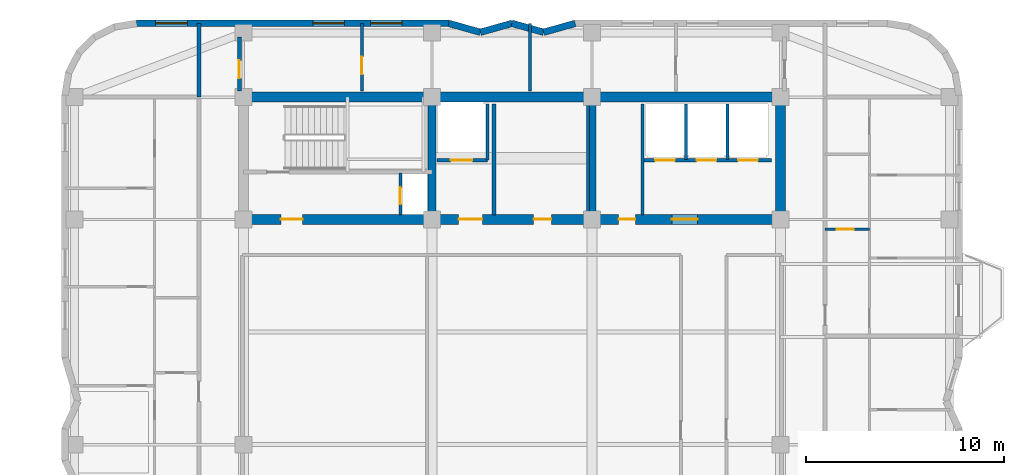
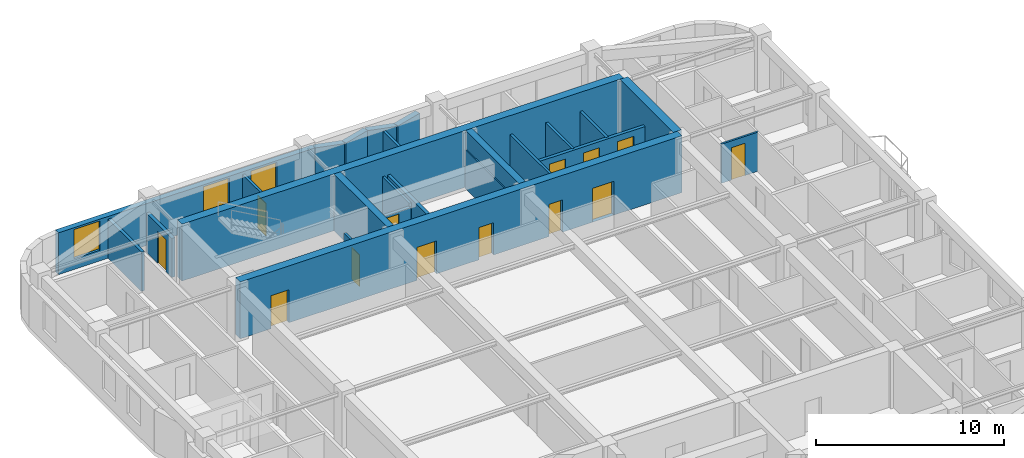
# One storey, part 6 of 9: 24 walls, 13 doors, 3 windows, 16 openings.
"""IFC4 building model written with IfcOpenShell, lengths in metres."""

from ifc_helpers import new_model, si_unit, direction, frame, frame_2d, origin, place, context, subcontext, project, spatial, rectangle, extrude, material, layer, layer_set, type_object, element, fill, save


model = new_model("IFC4")

# Units and contexts
model_context = context("Model", 3, precision=1e-05, world=origin(), true_north=direction((0.0, 1.0)))
body_context = subcontext(model_context, "Body", "Model", "MODEL_VIEW")
ifc_project = project(units=[si_unit("LENGTHUNIT", "METRE"), si_unit("AREAUNIT", "SQUARE_METRE"), si_unit("VOLUMEUNIT", "CUBIC_METRE"), si_unit("PLANEANGLEUNIT", "RADIAN"), si_unit("MASSUNIT", "GRAM", prefix="KILO")], contexts=[model_context])

# Site, building, storey
site_placement = place(None, origin())
site = spatial("IfcSite", under=ifc_project, at=site_placement, CompositionType="ELEMENT")
building_placement = place(site_placement, origin())
building = spatial("IfcBuilding", under=site, at=building_placement, Name="Svetorya Sky Lyceum", CompositionType="ELEMENT")
storey_placement = place(building_placement, frame((0.0, 0.0, 214.699951171875)))
storey = spatial("IfcBuildingStorey", under=building, at=storey_placement, Name="L53", CompositionType="ELEMENT", Elevation=214.699951171875)

# Walls
ifc_material_1 = material(Name="Concrete C40/50", Category="concrete")
ifc_layer_1 = layer(ifc_material_1, 0.39990234375)
ifc_layer_set_1 = layer_set([ifc_layer_1], Name="Concrete C40/50")
wall_type_1 = type_object("IfcWallType", Name="WL-CORE-400", PredefinedType="SHEAR", material=ifc_layer_set_1)
for number, where, z_axis, x_axis, name in (
    (1, (35.14990234375, 39.85009765625, 0.0), (0.0, 0.0, 1.0), (0.0, 1.0, 0.0), "L53 NC Internal Shear Web WEB1"),
    (2, (43.25, 39.85009765625, 0.0), (0.0, 0.0, 1.0), (0.0, 1.0, 0.0), "L53 NC Internal Shear Web WEB2"),
):
    element("IfcWall", number, at=place(storey_placement, frame(where, z_axis=z_axis, x_axis=x_axis)), inside=storey, type_object=wall_type_1, Name=name, PredefinedType="SHEAR", context=body_context, shape_type="SweptSolid", body=[
        extrude(rectangle(XDim=5.699951171875, YDim=0.39990234375, at=frame_2d((2.85009765625, 0.0))), origin(), (0.0, 0.0, 1.0), 3.699951171875),
    ])
ifc_material_2 = material(Name="Concrete C50/60", Category="concrete")
ifc_layer_2 = layer(ifc_material_2, 0.5)
ifc_layer_set_2 = layer_set([ifc_layer_2], Name="Concrete C50/60")
wall_type_2 = type_object("IfcWallType", Name="WL-CORE-500", PredefinedType="SHEAR", material=ifc_layer_set_2)
wall_1_placement = place(storey_placement, frame((25.60009765625, 45.800048828125, 0.0), z_axis=(0.0, 0.0, 1.0), x_axis=(1.0, 0.0, 0.0)))
element("IfcWall", 3, at=wall_1_placement, inside=storey, type_object=wall_type_2, Name="L53 NC Outer Core Shear Wall", PredefinedType="SHEAR", context=body_context, shape_type="SweptSolid", body=[
    extrude(rectangle(XDim=27.199951171875, YDim=0.5, at=frame_2d((13.60009765625, 0.0))), origin(), (0.0, 0.0, 1.0), 3.699951171875),
])
wall_2_placement = place(storey_placement, frame((52.800048828125, 39.85009765625, 0.0), z_axis=(0.0, 0.0, 1.0), x_axis=(0.0, 1.0, 0.0)))
element("IfcWall", 4, at=wall_2_placement, inside=storey, type_object=wall_type_2, Name="L53 NC East Core Shear Wall", PredefinedType="SHEAR", context=body_context, shape_type="SweptSolid", body=[
    extrude(rectangle(XDim=5.699951171875, YDim=0.5, at=frame_2d((2.85009765625, 0.0))), origin(), (0.0, 0.0, 1.0), 3.699951171875),
])

# Wall, openings, doors
wall_3_placement = place(storey_placement, frame((52.800048828125, 39.60009765625, 0.0), z_axis=(0.0, 0.0, 1.0), x_axis=(-1.0, 0.0, 0.0)))
wall_3 = element("IfcWall", 5, at=wall_3_placement, inside=storey, type_object=wall_type_2, Name="L53 NC Inner Core Shear Wall", PredefinedType="SHEAR", context=body_context, shape_type="SweptSolid", body=[
    extrude(rectangle(XDim=27.199951171875, YDim=0.5, at=frame_2d((13.60009765625, 0.0))), origin(), (0.0, 0.0, 1.0), 3.699951171875),
])
opening_1_placement = place(wall_3_placement, frame((24.199951171875, 0.0, 0.0)))
opening_1 = element("IfcOpeningElement", 6, at=opening_1_placement, cuts=wall_3, Name="Opening D-ST1", PredefinedType="OPENING", context=body_context, shape_type="SweptSolid", body=[
    extrude(rectangle(XDim=1.10009765625, YDim=2.14990234375, at=frame_2d((0.550048828125, 1.074951171875))), frame((0.0, 0.260009765625, 0.0), z_axis=(0.0, -1.0, 0.0), x_axis=(1.0, 0.0, 0.0)), (0.0, 0.0, 1.0), 0.52001953125),
])
opening_2_placement = place(wall_3_placement, frame((15.10009765625, 0.0, 0.0)))
opening_2 = element("IfcOpeningElement", 7, at=opening_2_placement, cuts=wall_3, Name="Opening D-FL1", PredefinedType="OPENING", context=body_context, shape_type="SweptSolid", body=[
    extrude(rectangle(XDim=1.199951171875, YDim=2.14990234375, at=frame_2d((0.60009765625, 1.074951171875))), frame((0.0, 0.260009765625, 0.0), z_axis=(0.0, -1.0, 0.0), x_axis=(1.0, 0.0, 0.0)), (0.0, 0.0, 1.0), 0.52001953125),
])
opening_3_placement = place(wall_3_placement, frame((11.60009765625, 0.0, 0.0)))
opening_3 = element("IfcOpeningElement", 8, at=opening_3_placement, cuts=wall_3, Name="Opening D-RM1", PredefinedType="OPENING", context=body_context, shape_type="SweptSolid", body=[
    extrude(rectangle(XDim=0.89990234375, YDim=2.10009765625, at=frame_2d((0.449951171875, 1.050048828125))), frame((0.0, 0.260009765625, 0.0), z_axis=(0.0, -1.0, 0.0), x_axis=(1.0, 0.0, 0.0)), (0.0, 0.0, 1.0), 0.52001953125),
])
opening_4_placement = place(wall_3_placement, frame((7.35009765625, 0.0, 0.0)))
opening_4 = element("IfcOpeningElement", 9, at=opening_4_placement, cuts=wall_3, Name="Opening D-CWC1", PredefinedType="OPENING", context=body_context, shape_type="SweptSolid", body=[
    extrude(rectangle(XDim=0.85009765625, YDim=2.10009765625, at=frame_2d((0.425048828125, 1.050048828125))), frame((0.0, 0.260009765625, 0.0), z_axis=(0.0, -1.0, 0.0), x_axis=(1.0, 0.0, 0.0)), (0.0, 0.0, 1.0), 0.52001953125),
])
opening_5_placement = place(wall_3_placement, frame((4.199951171875, 0.0, 0.0)))
opening_5 = element("IfcOpeningElement", 10, at=opening_5_placement, cuts=wall_3, Name="Opening D-LB1", PredefinedType="OPENING", context=body_context, shape_type="SweptSolid", body=[
    extrude(rectangle(XDim=1.300048828125, YDim=2.199951171875, at=frame_2d((0.64990234375, 1.10009765625))), frame((0.0, 0.260009765625, 0.0), z_axis=(0.0, -1.0, 0.0), x_axis=(1.0, 0.0, 0.0)), (0.0, 0.0, 1.0), 0.52001953125),
])
ifc_material_3 = material(Name="Fire-rated galvanized steel core service closet door", Category="steel")
door_type_1 = type_object("IfcDoorType", Name="DR-CWET-850", OperationType="SINGLE_SWING_LEFT", PredefinedType="DOOR", material=ifc_material_3)
door_1_placement = place(opening_4_placement, origin())
door_1 = element("IfcDoor", 11, at=door_1_placement, inside=storey, type_object=door_type_1, Name="L53 High-Zone Utility Room Door", OperationType="SINGLE_SWING_LEFT", OverallHeight=2.10009765625, OverallWidth=0.85009765625, PredefinedType="DOOR", context=body_context, shape_type="SweptSolid", body=[
    extrude(rectangle(XDim=0.85009765625, YDim=2.10009765625, at=frame_2d((0.425048828125, 1.050048828125))), frame((0.0, 0.02490234375, 0.0), z_axis=(0.0, -1.0, 0.0), x_axis=(1.0, 0.0, 0.0)), (0.0, 0.0, 1.0), 0.050048828125),
])
fill(opening_4, door_1)
ifc_material_4 = material(Name="Powder-coated insulated galvanized stair fire door")
door_type_2 = type_object("IfcDoorType", Name="DR-FIRE-1100", OperationType="SINGLE_SWING_LEFT", PredefinedType="DOOR", material=ifc_material_4)
door_2_placement = place(opening_1_placement, origin())
door_2 = element("IfcDoor", 12, at=door_2_placement, inside=storey, type_object=door_type_2, Name="L53 North Stair Airlock Door", OperationType="SINGLE_SWING_LEFT", OverallHeight=2.14990234375, OverallWidth=1.10009765625, PredefinedType="DOOR", context=body_context, shape_type="SweptSolid", body=[
    extrude(rectangle(XDim=1.10009765625, YDim=2.14990234375, at=frame_2d((0.550048828125, 1.074951171875))), frame((0.0, 0.02490234375, 0.0), z_axis=(0.0, -1.0, 0.0), x_axis=(1.0, 0.0, 0.0)), (0.0, 0.0, 1.0), 0.050048828125),
])
fill(opening_1, door_2)
ifc_material_5 = material(Name="Powder-coated insulated galvanized fire door")
door_type_3 = type_object("IfcDoorType", Name="DR-FIRE-1200", OperationType="SINGLE_SWING_LEFT", PredefinedType="DOOR", material=ifc_material_5)
door_3_placement = place(opening_2_placement, origin())
door_3 = element("IfcDoor", 13, at=door_3_placement, inside=storey, type_object=door_type_3, Name="L53 North Firefighting Lift Lobby Door", OperationType="SINGLE_SWING_RIGHT", OverallHeight=2.14990234375, OverallWidth=1.199951171875, PredefinedType="DOOR", context=body_context, shape_type="SweptSolid", body=[
    extrude(rectangle(XDim=1.199951171875, YDim=2.14990234375, at=frame_2d((0.60009765625, 1.074951171875))), frame((0.0, 0.02490234375, 0.0), z_axis=(0.0, -1.0, 0.0), x_axis=(1.0, 0.0, 0.0)), (0.0, 0.0, 1.0), 0.050048828125),
])
fill(opening_2, door_3)
ifc_material_6 = material(Name="Lacquered birch veneer internal door")
door_type_4 = type_object("IfcDoorType", Name="DR-INT-900", OperationType="SINGLE_SWING_LEFT", PredefinedType="DOOR", material=ifc_material_6)
door_4_placement = place(opening_3_placement, origin())
door_4 = element("IfcDoor", 14, at=door_4_placement, inside=storey, type_object=door_type_4, Name="L53 Upper Archive Door", OperationType="SINGLE_SWING_LEFT", OverallHeight=2.10009765625, OverallWidth=0.89990234375, PredefinedType="DOOR", context=body_context, shape_type="SweptSolid", body=[
    extrude(rectangle(XDim=0.89990234375, YDim=2.10009765625, at=frame_2d((0.449951171875, 1.050048828125))), frame((0.0, 0.02490234375, 0.0), z_axis=(0.0, -1.0, 0.0), x_axis=(1.0, 0.0, 0.0)), (0.0, 0.0, 1.0), 0.050048828125),
])
fill(opening_3, door_4)
ifc_material_7 = material(Name="Glazed fire-rated aluminium lobby door", Category="aluminium")
door_type_5 = type_object("IfcDoorType", Name="DR-LOB-1300", OperationType="SINGLE_SWING_LEFT", PredefinedType="DOOR", material=ifc_material_7)
door_5_placement = place(opening_5_placement, origin())
door_5 = element("IfcDoor", 15, at=door_5_placement, inside=storey, type_object=door_type_5, Name="L53 North Passenger Lift Lobby Door", OperationType="SINGLE_SWING_LEFT", OverallHeight=2.199951171875, OverallWidth=1.300048828125, PredefinedType="DOOR", context=body_context, shape_type="SweptSolid", body=[
    extrude(rectangle(XDim=1.300048828125, YDim=2.199951171875, at=frame_2d((0.64990234375, 1.10009765625))), frame((0.0, 0.02490234375, 0.0), z_axis=(0.0, -1.0, 0.0), x_axis=(1.0, 0.0, 0.0)), (0.0, 0.0, 1.0), 0.050048828125),
])
fill(opening_5, door_5)

# Walls
ifc_material_8 = material(Name="Putilovo limestone rainscreen on autoclaved cellular masonry", Category="masonry")
ifc_layer_3 = layer(ifc_material_8, 0.340087890625)
ifc_layer_set_3 = layer_set([ifc_layer_3], Name="Putilovo limestone rainscreen on autoclaved cellular masonry")
wall_type_3 = type_object("IfcWallType", Name="WL-EXT-340", PredefinedType="SOLIDWALL", material=ifc_layer_set_3)
wall_4_placement = place(storey_placement, frame((42.39990234375, 49.530029296875, 0.0), z_axis=(0.0, 0.0, 1.0), x_axis=(-0.962652136636, -0.270741322725, 0.0)))
element("IfcWall", 16, at=wall_4_placement, inside=storey, type_object=wall_type_3, Name="L53 Limestone Exterior Wall 30M", PredefinedType="SOLIDWALL", context=body_context, shape_type="SweptSolid", body=[
    extrude(rectangle(XDim=1.661865234375, YDim=0.340087890625, at=frame_2d((0.8310546875, 0.0))), origin(), (0.0, 0.0, 1.0), 2.719970703125),
])
wall_5_placement = place(storey_placement, frame((40.800048828125, 49.080078125, 0.0), z_axis=(0.0, 0.0, 1.0), x_axis=(-0.962662902433, 0.270703040766, 0.0)))
element("IfcWall", 17, at=wall_5_placement, inside=storey, type_object=wall_type_3, Name="L53 Limestone Exterior Wall 31M", PredefinedType="SOLIDWALL", context=body_context, shape_type="SweptSolid", body=[
    extrude(rectangle(XDim=1.662109375, YDim=0.340087890625, at=frame_2d((0.8310546875, 0.0))), origin(), (0.0, 0.0, 1.0), 2.719970703125),
])
wall_6_placement = place(storey_placement, frame((39.199951171875, 49.530029296875, 0.0), z_axis=(0.0, 0.0, 1.0), x_axis=(-0.962652136636, -0.270741322725, 0.0)))
element("IfcWall", 18, at=wall_6_placement, inside=storey, type_object=wall_type_3, Name="L53 Limestone Exterior Wall 32M", PredefinedType="SOLIDWALL", context=body_context, shape_type="SweptSolid", body=[
    extrude(rectangle(XDim=1.661865234375, YDim=0.340087890625, at=frame_2d((0.8310546875, 0.0))), origin(), (0.0, 0.0, 1.0), 2.719970703125),
])
wall_7_placement = place(storey_placement, frame((37.60009765625, 49.080078125, 0.0), z_axis=(0.0, 0.0, 1.0), x_axis=(-0.962662902433, 0.270703040766, 0.0)))
element("IfcWall", 19, at=wall_7_placement, inside=storey, type_object=wall_type_3, Name="L53 Limestone Exterior Wall 33M", PredefinedType="SOLIDWALL", context=body_context, shape_type="SweptSolid", body=[
    extrude(rectangle(XDim=1.662109375, YDim=0.340087890625, at=frame_2d((0.8310546875, 0.0))), origin(), (0.0, 0.0, 1.0), 2.719970703125),
])

# Wall, openings, windows
wall_8_placement = place(storey_placement, frame((36.0, 49.530029296875, 0.0), z_axis=(0.0, 0.0, 1.0), x_axis=(-1.0, 0.0, 0.0)))
wall_8 = element("IfcWall", 20, at=wall_8_placement, inside=storey, type_object=wall_type_3, Name="L53 Limestone Exterior Wall 34M", PredefinedType="SOLIDWALL", context=body_context, shape_type="SweptSolid", body=[
    extrude(rectangle(XDim=15.800048828125, YDim=0.340087890625, at=frame_2d((7.89990234375, 0.0))), origin(), (0.0, 0.0, 1.0), 2.719970703125),
])
opening_6_placement = place(wall_8_placement, frame((2.362548828125, 0.0, 0.699951171875)))
opening_6 = element("IfcOpeningElement", 21, at=opening_6_placement, cuts=wall_8, Name="Opening W-R4", PredefinedType="OPENING", context=body_context, shape_type="SweptSolid", body=[
    extrude(rectangle(XDim=1.60009765625, YDim=1.89990234375, at=frame_2d((0.800048828125, 0.949951171875))), frame((0.0, 0.179931640625, 0.0), z_axis=(0.0, -1.0, 0.0), x_axis=(1.0, 0.0, 0.0)), (0.0, 0.0, 1.0), 0.360107421875),
])
opening_7_placement = place(wall_8_placement, frame((5.28759765625, 0.0, 0.699951171875)))
opening_7 = element("IfcOpeningElement", 22, at=opening_7_placement, cuts=wall_8, Name="Opening W-R4", PredefinedType="OPENING", context=body_context, shape_type="SweptSolid", body=[
    extrude(rectangle(XDim=1.60009765625, YDim=1.89990234375, at=frame_2d((0.800048828125, 0.949951171875))), frame((0.0, 0.179931640625, 0.0), z_axis=(0.0, -1.0, 0.0), x_axis=(1.0, 0.0, 0.0)), (0.0, 0.0, 1.0), 0.360107421875),
])
opening_8_placement = place(wall_8_placement, frame((13.237548828125, 0.0, 0.699951171875)))
opening_8 = element("IfcOpeningElement", 23, at=opening_8_placement, cuts=wall_8, Name="Opening W-R4", PredefinedType="OPENING", context=body_context, shape_type="SweptSolid", body=[
    extrude(rectangle(XDim=1.60009765625, YDim=1.89990234375, at=frame_2d((0.800048828125, 0.949951171875))), frame((0.0, 0.179931640625, 0.0), z_axis=(0.0, -1.0, 0.0), x_axis=(1.0, 0.0, 0.0)), (0.0, 0.0, 1.0), 0.360107421875),
])
ifc_material_9 = material(Name="Thermally broken aluminium frame with triple low-E glazing", Category="aluminium")
window_type = type_object("IfcWindowType", Name="WN-RES-160", PartitioningType="DOUBLE_PANEL_VERTICAL", PredefinedType="WINDOW", material=ifc_material_9)
window_1_placement = place(opening_6_placement, origin())
window_1 = element("IfcWindow", 24, at=window_1_placement, inside=storey, type_object=window_type, Name="L53 Facade Window W-R4.34M.1", OverallHeight=1.89990234375, OverallWidth=1.60009765625, PartitioningType="SINGLE_PANEL", PredefinedType="WINDOW", context=body_context, shape_type="SweptSolid", body=[
    extrude(rectangle(XDim=1.60009765625, YDim=1.89990234375, at=frame_2d((0.800048828125, 0.949951171875))), frame((0.0, 0.030029296875, 0.0), z_axis=(0.0, -1.0, 0.0), x_axis=(1.0, 0.0, 0.0)), (0.0, 0.0, 1.0), 0.06005859375),
])
fill(opening_6, window_1)
window_2_placement = place(opening_7_placement, origin())
window_2 = element("IfcWindow", 25, at=window_2_placement, inside=storey, type_object=window_type, Name="L53 Facade Window W-R4.34M.2", OverallHeight=1.89990234375, OverallWidth=1.60009765625, PartitioningType="SINGLE_PANEL", PredefinedType="WINDOW", context=body_context, shape_type="SweptSolid", body=[
    extrude(rectangle(XDim=1.60009765625, YDim=1.89990234375, at=frame_2d((0.800048828125, 0.949951171875))), frame((0.0, 0.030029296875, 0.0), z_axis=(0.0, -1.0, 0.0), x_axis=(1.0, 0.0, 0.0)), (0.0, 0.0, 1.0), 0.06005859375),
])
fill(opening_7, window_2)
window_3_placement = place(opening_8_placement, origin())
window_3 = element("IfcWindow", 26, at=window_3_placement, inside=storey, type_object=window_type, Name="L53 Facade Window W-R4.34M.3", OverallHeight=1.89990234375, OverallWidth=1.60009765625, PartitioningType="SINGLE_PANEL", PredefinedType="WINDOW", context=body_context, shape_type="SweptSolid", body=[
    extrude(rectangle(XDim=1.60009765625, YDim=1.89990234375, at=frame_2d((0.800048828125, 0.949951171875))), frame((0.0, 0.030029296875, 0.0), z_axis=(0.0, -1.0, 0.0), x_axis=(1.0, 0.0, 0.0)), (0.0, 0.0, 1.0), 0.06005859375),
])
fill(opening_8, window_3)

# Wall, opening, door
ifc_material_10 = material(Name="Twin-stud galvanized framing with double fireboard", Category="gypsum")
ifc_layer_4 = layer(ifc_material_10, 0.1201171875)
ifc_layer_set_4 = layer_set([ifc_layer_4], Name="Twin-stud galvanized framing with double fireboard")
wall_type_4 = type_object("IfcWallType", Name="WL-PART-120", PredefinedType="PARTITIONING", material=ifc_layer_set_4)
wall_9_placement = place(storey_placement, frame((55.050048828125, 39.10009765625, 0.0), z_axis=(0.0, 0.0, 1.0), x_axis=(1.0, 0.0, 0.0)))
wall_9 = element("IfcWall", 27, at=wall_9_placement, inside=storey, type_object=wall_type_4, Name="L53 Interior Partition E3-WH1", PredefinedType="PARTITIONING", context=body_context, shape_type="SweptSolid", body=[
    extrude(rectangle(XDim=2.25, YDim=0.1201171875, at=frame_2d((1.125, 0.0))), origin(), (0.0, 0.0, 1.0), 2.550048828125),
])
opening_9_placement = place(wall_9_placement, frame((0.60009765625, 0.0, 0.0)))
opening_9 = element("IfcOpeningElement", 28, at=opening_9_placement, cuts=wall_9, Name="Opening D-BT1", PredefinedType="OPENING", context=body_context, shape_type="SweptSolid", body=[
    extrude(rectangle(XDim=0.85009765625, YDim=2.10009765625, at=frame_2d((0.425048828125, 1.050048828125))), frame((0.0, 0.070068359375, 0.0), z_axis=(0.0, -1.0, 0.0), x_axis=(1.0, 0.0, 0.0)), (0.0, 0.0, 1.0), 0.14013671875),
])
ifc_material_11 = material(Name="Moisture-resistant laminate bathroom door")
door_type_6 = type_object("IfcDoorType", Name="DR-WET-850", OperationType="SINGLE_SWING_LEFT", PredefinedType="DOOR", material=ifc_material_11)
door_6_placement = place(opening_9_placement, origin())
door_6 = element("IfcDoor", 29, at=door_6_placement, inside=storey, type_object=door_type_6, Name="Apartment E3 Bathroom Door", OperationType="SINGLE_SWING_RIGHT", OverallHeight=2.10009765625, OverallWidth=0.85009765625, PredefinedType="DOOR", context=body_context, shape_type="SweptSolid", body=[
    extrude(rectangle(XDim=0.85009765625, YDim=2.10009765625, at=frame_2d((0.425048828125, 1.050048828125))), frame((0.0, 0.02490234375, 0.0), z_axis=(0.0, -1.0, 0.0), x_axis=(1.0, 0.0, 0.0)), (0.0, 0.0, 1.0), 0.050048828125),
])
fill(opening_9, door_6)

ifc_material_12 = material(Name="Autoclaved cellular masonry blockwork with acoustic render", Category="masonry")
ifc_layer_5 = layer(ifc_material_12, 0.14990234375)
ifc_layer_set_5 = layer_set([ifc_layer_5], Name="Autoclaved cellular masonry blockwork with acoustic render")
wall_type_5 = type_object("IfcWallType", Name="WL-PART-150", PredefinedType="PARTITIONING", material=ifc_layer_set_5)
wall_10_placement = place(storey_placement, frame((33.550048828125, 39.820068359375, 0.0), z_axis=(0.0, 0.0, 1.0), x_axis=(0.0, 1.0, 0.0)))
wall_10 = element("IfcWall", 30, at=wall_10_placement, inside=storey, type_object=wall_type_5, Name="L53 Interior Partition NC-RSRW", PredefinedType="PARTITIONING", context=body_context, shape_type="SweptSolid", body=[
    extrude(rectangle(XDim=2.1298828125, YDim=0.14990234375, at=frame_2d((1.06494140625, 0.0))), origin(), (0.0, 0.0, 1.0), 2.550048828125),
])
opening_10_placement = place(wall_10_placement, frame((0.550048828125, 0.0, 0.0)))
opening_10 = element("IfcOpeningElement", 31, at=opening_10_placement, cuts=wall_10, Name="Opening D-SH1", PredefinedType="OPENING", context=body_context, shape_type="SweptSolid", body=[
    extrude(rectangle(XDim=0.85009765625, YDim=2.050048828125, at=frame_2d((0.425048828125, 1.02490234375))), frame((0.0, 0.0849609375, 0.0), z_axis=(0.0, -1.0, 0.0), x_axis=(1.0, 0.0, 0.0)), (0.0, 0.0, 1.0), 0.169921875),
])
ifc_material_13 = material(Name="Insulated galvanized riser inspection fire door")
door_type_7 = type_object("IfcDoorType", Name="DR-SHFT-850", OperationType="SINGLE_SWING_LEFT", PredefinedType="TRAPDOOR", material=ifc_material_13)
door_7_placement = place(opening_10_placement, origin())
door_7 = element("IfcDoor", 32, at=door_7_placement, inside=storey, type_object=door_type_7, Name="L53 North Riser Access Door", OperationType="SINGLE_SWING_LEFT", OverallHeight=2.050048828125, OverallWidth=0.85009765625, PredefinedType="TRAPDOOR", context=body_context, shape_type="SweptSolid", body=[
    extrude(rectangle(XDim=0.85009765625, YDim=2.050048828125, at=frame_2d((0.425048828125, 1.02490234375))), frame((0.0, 0.02490234375, 0.0), z_axis=(0.0, -1.0, 0.0), x_axis=(1.0, 0.0, 0.0)), (0.0, 0.0, 1.0), 0.050048828125),
])
fill(opening_10, door_7)

# Walls
wall_11_placement = place(storey_placement, frame((37.949951171875, 42.60009765625, 0.0), z_axis=(0.0, 0.0, 1.0), x_axis=(0.0, 1.0, 0.0)))
element("IfcWall", 33, at=wall_11_placement, inside=storey, type_object=wall_type_5, Name="L53 Interior Partition NC-FL1SIDE", PredefinedType="PARTITIONING", context=body_context, shape_type="SweptSolid", body=[
    extrude(rectangle(XDim=2.849853515625, YDim=0.14990234375, at=frame_2d((1.4248046875, 0.0))), origin(), (0.0, 0.0, 1.0), 2.550048828125),
])
for number, where, z_axis, x_axis, name in (
    (34, (43.050048828125, 39.820068359375, 0.0), (0.0, 0.0, 1.0), (0.0, 1.0, 0.0), "L53 Interior Partition NC-FPM-END"),
    (35, (45.800048828125, 39.820068359375, 0.0), (0.0, 0.0, 1.0), (0.0, 1.0, 0.0), "L53 Interior Partition NC-PM3-FULL"),
):
    element("IfcWall", number, at=place(storey_placement, frame(where, z_axis=z_axis, x_axis=x_axis)), inside=storey, type_object=wall_type_5, Name=name, PredefinedType="PARTITIONING", context=body_context, shape_type="SweptSolid", body=[
        extrude(rectangle(XDim=5.6298828125, YDim=0.14990234375, at=frame_2d((2.81494140625, 0.0))), origin(), (0.0, 0.0, 1.0), 2.550048828125),
    ])
for number, where, z_axis, x_axis, name in (
    (36, (48.0, 42.64990234375, 0.0), (0.0, 0.0, 1.0), (0.0, 1.0, 0.0), "L53 Interior Partition NC-PH-D1"),
    (37, (50.10009765625, 42.64990234375, 0.0), (0.0, 0.0, 1.0), (0.0, 1.0, 0.0), "L53 Interior Partition NC-PH-D2"),
):
    element("IfcWall", number, at=place(storey_placement, frame(where, z_axis=z_axis, x_axis=x_axis)), inside=storey, type_object=wall_type_5, Name=name, PredefinedType="PARTITIONING", context=body_context, shape_type="SweptSolid", body=[
        extrude(rectangle(XDim=2.800048828125, YDim=0.14990234375, at=frame_2d((1.39990234375, 0.0))), origin(), (0.0, 0.0, 1.0), 2.550048828125),
    ])

# Wall, opening, door
wall_12_placement = place(storey_placement, frame((31.60009765625, 46.10009765625, 0.0), z_axis=(0.0, 0.0, 1.0), x_axis=(0.0, 1.0, 0.0)))
wall_12 = element("IfcWall", 38, at=wall_12_placement, inside=storey, type_object=wall_type_5, Name="L53 Interior Partition N4-D1", PredefinedType="PARTITIONING", context=body_context, shape_type="SweptSolid", body=[
    extrude(rectangle(XDim=3.429931640625, YDim=0.14990234375, at=frame_2d((1.71484375, 0.0))), origin(), (0.0, 0.0, 1.0), 2.550048828125),
])
opening_11_placement = place(wall_12_placement, frame((0.85009765625, 0.0, 0.0)))
opening_11 = element("IfcOpeningElement", 39, at=opening_11_placement, cuts=wall_12, Name="Opening D-RM1", PredefinedType="OPENING", context=body_context, shape_type="SweptSolid", body=[
    extrude(rectangle(XDim=0.89990234375, YDim=2.10009765625, at=frame_2d((0.449951171875, 1.050048828125))), frame((0.0, 0.0849609375, 0.0), z_axis=(0.0, -1.0, 0.0), x_axis=(1.0, 0.0, 0.0)), (0.0, 0.0, 1.0), 0.169921875),
])
door_8_placement = place(opening_11_placement, origin())
door_8 = element("IfcDoor", 40, at=door_8_placement, inside=storey, type_object=door_type_4, Name="L53 North Suite Door 1", OperationType="SINGLE_SWING_RIGHT", OverallHeight=2.10009765625, OverallWidth=0.89990234375, PredefinedType="DOOR", context=body_context, shape_type="SweptSolid", body=[
    extrude(rectangle(XDim=0.89990234375, YDim=2.10009765625, at=frame_2d((0.449951171875, 1.050048828125))), frame((0.0, 0.02490234375, 0.0), z_axis=(0.0, -1.0, 0.0), x_axis=(1.0, 0.0, 0.0)), (0.0, 0.0, 1.0), 0.050048828125),
])
fill(opening_11, door_8)

# Wall
wall_13_placement = place(storey_placement, frame((40.10009765625, 46.10009765625, 0.0), z_axis=(0.0, 0.0, 1.0), x_axis=(0.0, 1.0, 0.0)))
element("IfcWall", 41, at=wall_13_placement, inside=storey, type_object=wall_type_5, Name="L53 Interior Partition N4-D2", PredefinedType="PARTITIONING", context=body_context, shape_type="SweptSolid", body=[
    extrude(rectangle(XDim=3.429931640625, YDim=0.14990234375, at=frame_2d((1.71484375, 0.0))), origin(), (0.0, 0.0, 1.0), 2.550048828125),
])

# Wall, opening, door
ifc_material_14 = material(Name="Autoclaved cellular masonry blockwork with gypsum plaster", Category="masonry")
ifc_layer_6 = layer(ifc_material_14, 0.199951171875)
ifc_layer_set_6 = layer_set([ifc_layer_6], Name="Autoclaved cellular masonry blockwork with gypsum plaster")
wall_type_6 = type_object("IfcWallType", Name="WL-PART-200", PredefinedType="PARTITIONING", material=ifc_layer_set_6)
wall_14_placement = place(storey_placement, frame((37.949951171875, 42.60009765625, 0.0), z_axis=(0.0, 0.0, 1.0), x_axis=(-1.0, 0.0, 0.0)))
wall_14 = element("IfcWall", 42, at=wall_14_placement, inside=storey, type_object=wall_type_6, Name="L53 Interior Partition NC-FL1W", PredefinedType="PARTITIONING", context=body_context, shape_type="SweptSolid", body=[
    extrude(rectangle(XDim=2.550048828125, YDim=0.199951171875, at=frame_2d((1.27490234375, 0.0))), origin(), (0.0, 0.0, 1.0), 2.320068359375),
])
opening_12_placement = place(wall_14_placement, frame((0.75, 0.0, 0.0)))
opening_12 = element("IfcOpeningElement", 43, at=opening_12_placement, cuts=wall_14, Name="Opening LD-FL", PredefinedType="OPENING", context=body_context, shape_type="SweptSolid", body=[
    extrude(rectangle(XDim=1.10009765625, YDim=2.14990234375, at=frame_2d((0.550048828125, 1.074951171875))), frame((0.0, 0.10986328125, 0.0), z_axis=(0.0, -1.0, 0.0), x_axis=(1.0, 0.0, 0.0)), (0.0, 0.0, 1.0), 0.219970703125),
])
ifc_material_15 = material(Name="Fire-rated stainless AISI 304 firefighting lift landing door")
door_type_8 = type_object("IfcDoorType", Name="DR-LIFT-1100", OperationType="SLIDING_TO_LEFT", PredefinedType="DOOR", material=ifc_material_15)
door_9_placement = place(opening_12_placement, origin())
door_9 = element("IfcDoor", 44, at=door_9_placement, inside=storey, type_object=door_type_8, Name="L53 Firefighting Lift FL1 Landing Door", OperationType="SLIDING_TO_LEFT", OverallHeight=2.14990234375, OverallWidth=1.10009765625, PredefinedType="DOOR", context=body_context, shape_type="SweptSolid", body=[
    extrude(rectangle(XDim=1.10009765625, YDim=2.14990234375, at=frame_2d((0.550048828125, 1.074951171875))), frame((0.0, 0.02490234375, 0.0), z_axis=(0.0, -1.0, 0.0), x_axis=(1.0, 0.0, 0.0)), (0.0, 0.0, 1.0), 0.050048828125),
])
fill(opening_12, door_9)

# Wall
wall_15_placement = place(storey_placement, frame((38.280029296875, 39.820068359375, 0.0), z_axis=(0.0, 0.0, 1.0), x_axis=(0.0, 1.0, 0.0)))
element("IfcWall", 45, at=wall_15_placement, inside=storey, type_object=wall_type_6, Name="L53 Interior Partition NC-FFLDIV", PredefinedType="PARTITIONING", context=body_context, shape_type="SweptSolid", body=[
    extrude(rectangle(XDim=5.6298828125, YDim=0.199951171875, at=frame_2d((2.81494140625, 0.0))), origin(), (0.0, 0.0, 1.0), 2.550048828125),
])

# Wall, openings, doors
wall_16_placement = place(storey_placement, frame((52.35009765625, 42.60009765625, 0.0), z_axis=(0.0, 0.0, 1.0), x_axis=(-1.0, 0.0, 0.0)))
wall_16 = element("IfcWall", 46, at=wall_16_placement, inside=storey, type_object=wall_type_6, Name="L53 Interior Partition NC-PHEW", PredefinedType="PARTITIONING", context=body_context, shape_type="SweptSolid", body=[
    extrude(rectangle(XDim=6.5, YDim=0.199951171875, at=frame_2d((3.25, 0.0))), origin(), (0.0, 0.0, 1.0), 2.550048828125),
])
opening_13_placement = place(wall_16_placement, frame((4.89990234375, 0.0, 0.0)))
opening_13 = element("IfcOpeningElement", 47, at=opening_13_placement, cuts=wall_16, Name="Opening LD-P1", PredefinedType="OPENING", context=body_context, shape_type="SweptSolid", body=[
    extrude(rectangle(XDim=1.0, YDim=2.14990234375, at=frame_2d((0.5, 1.074951171875))), frame((0.0, 0.10986328125, 0.0), z_axis=(0.0, -1.0, 0.0), x_axis=(1.0, 0.0, 0.0)), (0.0, 0.0, 1.0), 0.219970703125),
])
opening_14_placement = place(wall_16_placement, frame((2.800048828125, 0.0, 0.0)))
opening_14 = element("IfcOpeningElement", 48, at=opening_14_placement, cuts=wall_16, Name="Opening LD-P1", PredefinedType="OPENING", context=body_context, shape_type="SweptSolid", body=[
    extrude(rectangle(XDim=1.0, YDim=2.14990234375, at=frame_2d((0.5, 1.074951171875))), frame((0.0, 0.10986328125, 0.0), z_axis=(0.0, -1.0, 0.0), x_axis=(1.0, 0.0, 0.0)), (0.0, 0.0, 1.0), 0.219970703125),
])
opening_15_placement = place(wall_16_placement, frame((0.699951171875, 0.0, 0.0)))
opening_15 = element("IfcOpeningElement", 49, at=opening_15_placement, cuts=wall_16, Name="Opening LD-P1", PredefinedType="OPENING", context=body_context, shape_type="SweptSolid", body=[
    extrude(rectangle(XDim=1.0, YDim=2.14990234375, at=frame_2d((0.5, 1.074951171875))), frame((0.0, 0.10986328125, 0.0), z_axis=(0.0, -1.0, 0.0), x_axis=(1.0, 0.0, 0.0)), (0.0, 0.0, 1.0), 0.219970703125),
])
ifc_material_16 = material(Name="Champagne-anodized stainless passenger lift landing door")
door_type_9 = type_object("IfcDoorType", Name="DR-LIFT-1000", OperationType="SLIDING_TO_LEFT", PredefinedType="DOOR", material=ifc_material_16)
door_10_placement = place(opening_13_placement, origin())
door_10 = element("IfcDoor", 50, at=door_10_placement, inside=storey, type_object=door_type_9, Name="L53 Passenger Lift PH1 Landing Door", OperationType="SLIDING_TO_LEFT", OverallHeight=2.14990234375, OverallWidth=1.0, PredefinedType="DOOR", context=body_context, shape_type="SweptSolid", body=[
    extrude(rectangle(XDim=1.0, YDim=2.14990234375, at=frame_2d((0.5, 1.074951171875))), frame((0.0, 0.02490234375, 0.0), z_axis=(0.0, -1.0, 0.0), x_axis=(1.0, 0.0, 0.0)), (0.0, 0.0, 1.0), 0.050048828125),
])
fill(opening_13, door_10)
door_11_placement = place(opening_14_placement, origin())
door_11 = element("IfcDoor", 51, at=door_11_placement, inside=storey, type_object=door_type_9, Name="L53 Passenger Lift PH2 Landing Door", OperationType="SLIDING_TO_LEFT", OverallHeight=2.14990234375, OverallWidth=1.0, PredefinedType="DOOR", context=body_context, shape_type="SweptSolid", body=[
    extrude(rectangle(XDim=1.0, YDim=2.14990234375, at=frame_2d((0.5, 1.074951171875))), frame((0.0, 0.02490234375, 0.0), z_axis=(0.0, -1.0, 0.0), x_axis=(1.0, 0.0, 0.0)), (0.0, 0.0, 1.0), 0.050048828125),
])
fill(opening_14, door_11)
door_12_placement = place(opening_15_placement, origin())
door_12 = element("IfcDoor", 52, at=door_12_placement, inside=storey, type_object=door_type_9, Name="L53 Passenger Lift PH3 Landing Door", OperationType="SLIDING_TO_LEFT", OverallHeight=2.14990234375, OverallWidth=1.0, PredefinedType="DOOR", context=body_context, shape_type="SweptSolid", body=[
    extrude(rectangle(XDim=1.0, YDim=2.14990234375, at=frame_2d((0.5, 1.074951171875))), frame((0.0, 0.02490234375, 0.0), z_axis=(0.0, -1.0, 0.0), x_axis=(1.0, 0.0, 0.0)), (0.0, 0.0, 1.0), 0.050048828125),
])
fill(opening_15, door_12)

# Wall
wall_17_placement = place(storey_placement, frame((23.35009765625, 45.800048828125, 0.0), z_axis=(0.0, 0.0, 1.0), x_axis=(0.0, 1.0, 0.0)))
element("IfcWall", 53, at=wall_17_placement, inside=storey, type_object=wall_type_6, Name="L53 Interior Partition WC-NW-END", PredefinedType="PARTITIONING", context=body_context, shape_type="SweptSolid", body=[
    extrude(rectangle(XDim=3.72998046875, YDim=0.199951171875, at=frame_2d((1.864990234375, 0.0))), origin(), (0.0, 0.0, 1.0), 2.550048828125),
])

# Wall, opening, door
wall_18_placement = place(storey_placement, frame((25.39990234375, 46.10009765625, 0.0), z_axis=(0.0, 0.0, 1.0), x_axis=(0.0, 1.0, 0.0)))
wall_18 = element("IfcWall", 54, at=wall_18_placement, inside=storey, type_object=wall_type_6, Name="L53 Interior Partition N4-EW", PredefinedType="PARTITIONING", context=body_context, shape_type="SweptSolid", body=[
    extrude(rectangle(XDim=2.72998046875, YDim=0.199951171875, at=frame_2d((1.364990234375, 0.0))), origin(), (0.0, 0.0, 1.0), 2.550048828125),
])
opening_16_placement = place(wall_18_placement, frame((0.64990234375, 0.0, 0.0)))
opening_16 = element("IfcOpeningElement", 55, at=opening_16_placement, cuts=wall_18, Name="Opening D-RM1", PredefinedType="OPENING", context=body_context, shape_type="SweptSolid", body=[
    extrude(rectangle(XDim=0.89990234375, YDim=2.10009765625, at=frame_2d((0.449951171875, 1.050048828125))), frame((0.0, 0.10986328125, 0.0), z_axis=(0.0, -1.0, 0.0), x_axis=(1.0, 0.0, 0.0)), (0.0, 0.0, 1.0), 0.219970703125),
])
door_13_placement = place(opening_16_placement, origin())
door_13 = element("IfcDoor", 56, at=door_13_placement, inside=storey, type_object=door_type_4, Name="L53 NW Study Door", OperationType="SINGLE_SWING_RIGHT", OverallHeight=2.10009765625, OverallWidth=0.89990234375, PredefinedType="DOOR", context=body_context, shape_type="SweptSolid", body=[
    extrude(rectangle(XDim=0.89990234375, YDim=2.10009765625, at=frame_2d((0.449951171875, 1.050048828125))), frame((0.0, 0.02490234375, 0.0), z_axis=(0.0, -1.0, 0.0), x_axis=(1.0, 0.0, 0.0)), (0.0, 0.0, 1.0), 0.050048828125),
])
fill(opening_16, door_13)

save(model, "model.ifc")
